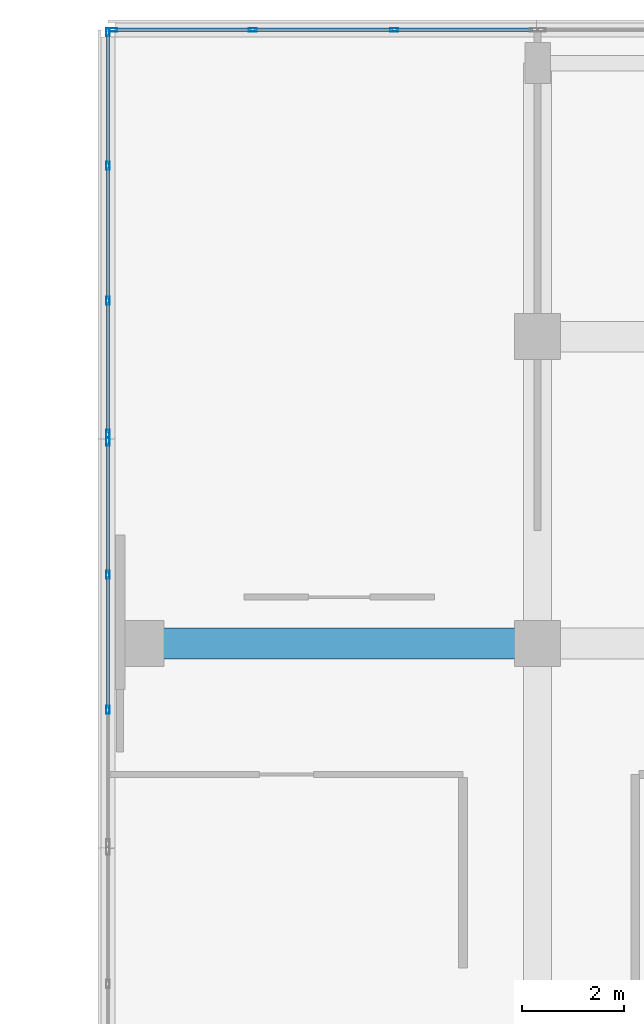
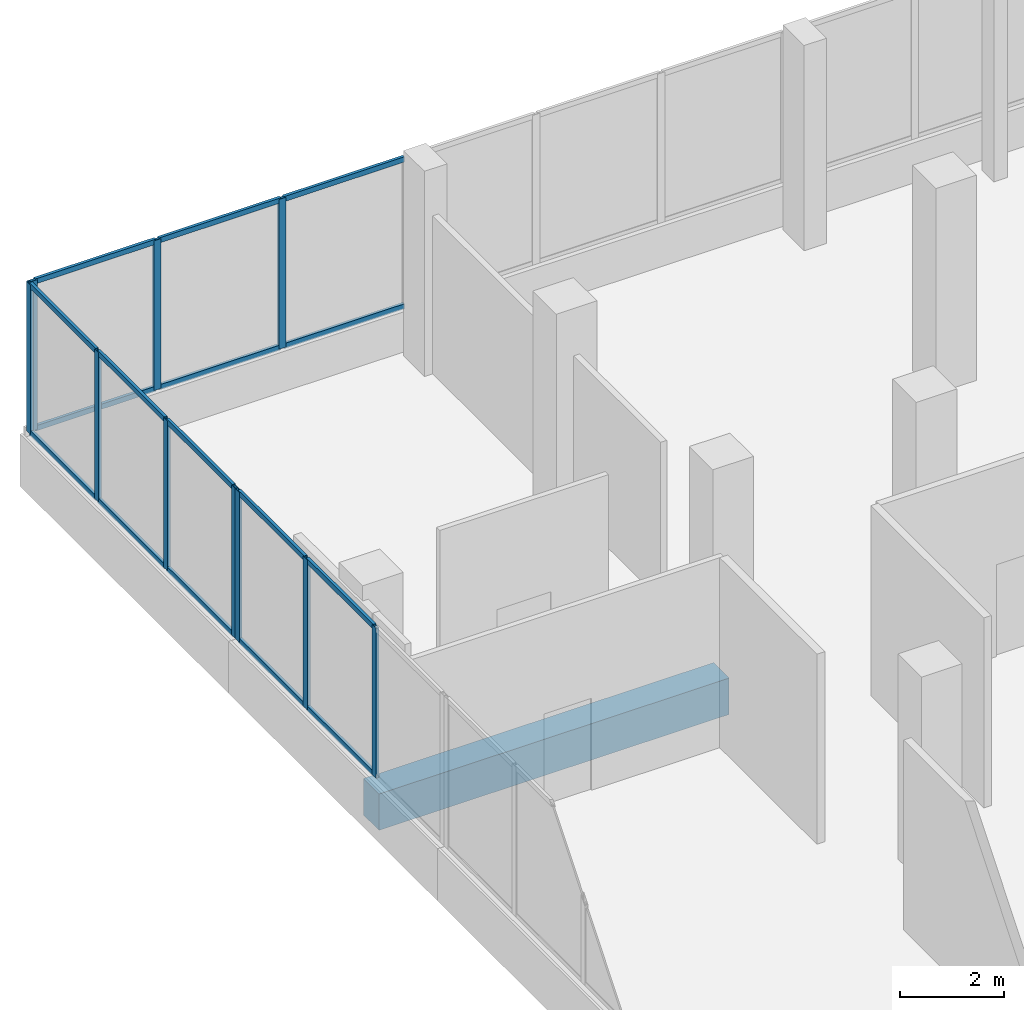
# One storey, part 76 of 168: 26 members, 1 beam, 3 elements without a shape of their own.
"""IFC4 building model written with IfcOpenShell, lengths in metres."""

from ifc_helpers import new_model, si_unit, direction, frame, origin, origin_2d, place, context, subcontext, project, spatial, rectangle, hollow_rectangle, extrude, material, material_profile, profile_set, type_object, element, aggregate, save


model = new_model("IFC4")

# Units and contexts
model_context = context("Model", 3, precision=1e-05, world=origin(), true_north=direction((0.0, 1.0)))
body_context = subcontext(model_context, "Body", "Model", "MODEL_VIEW")
ifc_project = project(units=[si_unit("LENGTHUNIT", "METRE"), si_unit("AREAUNIT", "SQUARE_METRE"), si_unit("VOLUMEUNIT", "CUBIC_METRE"), si_unit("PLANEANGLEUNIT", "RADIAN"), si_unit("MASSUNIT", "GRAM", prefix="KILO")], contexts=[model_context])

# Site, building, storey
site_placement = place(None, origin())
site = spatial("IfcSite", under=ifc_project, at=site_placement, CompositionType="ELEMENT")
building_placement = place(site_placement, origin())
building = spatial("IfcBuilding", under=site, at=building_placement, Name="Selatvlak General Hospital", CompositionType="ELEMENT")
storey_placement = place(building_placement, frame((0.0, 0.0, 5.39990234375)))
storey = spatial("IfcBuildingStorey", under=building, at=storey_placement, Name="L01", CompositionType="ELEMENT", Elevation=5.39990234375)

# Beam
ifc_material_1 = material(Name="Concrete C40/50", Category="concrete")
ifc_material_profile_1 = material_profile(ifc_material_1, rectangle(XDim=0.60009765625, YDim=0.85009765625, at=origin_2d()), Name="RC-BM 600x850")
ifc_profile_set_1 = profile_set([ifc_material_profile_1], Name="Concrete C40/50")
beam_type = type_object("IfcBeamType", Name="BM-G01", PredefinedType="BEAM", material=ifc_profile_set_1)
beam_placement = place(storey_placement, frame((15.050048828125, 108.0, -0.744873046875), z_axis=(1.0, 0.0, 0.0), x_axis=(0.0, 1.0, 0.0)))
element("IfcBeam", 1, at=beam_placement, inside=storey, type_object=beam_type, Name="Beam BMR-L01-0497", PredefinedType="BEAM", context=body_context, shape_type="SweptSolid", body=[
    extrude(rectangle(XDim=0.60009765625, YDim=0.85009765625, at=origin_2d()), origin(), (0.0, 0.0, 1.0), 7.75),
])

# Curtain wall, members
ifc_material_2 = material(Name="Solar-control Low-E double glazing", Category="glass")
curtain_wall_type_1 = type_object("IfcCurtainWallType", Name="CW-CW-01", PredefinedType="USERDEFINED", material=ifc_material_2)
curtain_wall_1_placement = place(storey_placement, origin())
curtain_wall_1 = element("IfcCurtainWall", 2, at=curtain_wall_1_placement, inside=storey, type_object=curtain_wall_type_1, Name="Glazed facade curtain wall CW-L01-0110", ObjectType="UNITISED CURTAIN WALL", PredefinedType="USERDEFINED")
ifc_material_3 = material(Name="Dark anodised aluminium mullion", Category="aluminium")
ifc_material_profile_2 = material_profile(ifc_material_3, hollow_rectangle(XDim=0.06494140625, YDim=0.159912109375, WallThickness=0.00390625, at=origin_2d()), Name="AL-MUL 65x160x4")
ifc_profile_set_2 = profile_set([ifc_material_profile_2], Name="Dark anodised aluminium mullion")
member_type_1 = type_object("IfcMemberType", Name="CWM-01", PredefinedType="MULLION", material=ifc_profile_set_2)
member_1_placement = place(storey_placement, frame((14.39990234375, 106.7041015625, 0.940185546875), z_axis=(0.0, 0.0, 1.0), x_axis=(-1.0, 0.0, 0.0)))
member_1 = element("IfcMember", 3, at=member_1_placement, type_object=member_type_1, Name="CW-01 mullion 2", PredefinedType="MULLION", context=body_context, shape_type="SweptSolid", body=[
    extrude(hollow_rectangle(XDim=0.06494140625, YDim=0.159912109375, WallThickness=0.00390625, at=origin_2d()), origin(), (0.0, 0.0, 1.0), 3.5048828125),
])
member_2_placement = place(storey_placement, frame((14.39990234375, 109.343994140625, 0.940185546875), z_axis=(0.0, 0.0, 1.0), x_axis=(-1.0, 0.0, 0.0)))
member_2 = element("IfcMember", 4, at=member_2_placement, type_object=member_type_1, Name="CW-01 mullion 3", PredefinedType="MULLION", context=body_context, shape_type="SweptSolid", body=[
    extrude(hollow_rectangle(XDim=0.06494140625, YDim=0.159912109375, WallThickness=0.00390625, at=origin_2d()), origin(), (0.0, 0.0, 1.0), 3.5048828125),
])
member_3_placement = place(storey_placement, frame((14.39990234375, 111.951416015625, 0.940185546875), z_axis=(0.0, 0.0, 1.0), x_axis=(-1.0, 0.0, 0.0)))
member_3 = element("IfcMember", 5, at=member_3_placement, type_object=member_type_1, Name="CW-01 mullion 4", PredefinedType="MULLION", context=body_context, shape_type="SweptSolid", body=[
    extrude(hollow_rectangle(XDim=0.06494140625, YDim=0.159912109375, WallThickness=0.00390625, at=origin_2d()), origin(), (0.0, 0.0, 1.0), 3.5048828125),
])

curtain_wall_type_2 = type_object("IfcCurtainWallType", Name="CW-CW-02", PredefinedType="USERDEFINED", material=ifc_material_2)
curtain_wall_2_placement = place(storey_placement, origin())
curtain_wall_2 = element("IfcCurtainWall", 6, at=curtain_wall_2_placement, inside=storey, type_object=curtain_wall_type_2, Name="Glazed facade curtain wall CW-L01-0111", ObjectType="UNITISED CURTAIN WALL", PredefinedType="USERDEFINED")
member_4_placement = place(storey_placement, frame((14.39990234375, 112.096435546875, 0.940185546875), z_axis=(0.0, 0.0, 1.0), x_axis=(-1.0, 0.0, 0.0)))
member_4 = element("IfcMember", 7, at=member_4_placement, type_object=member_type_1, Name="CW-02 mullion 1", PredefinedType="MULLION", context=body_context, shape_type="SweptSolid", body=[
    extrude(hollow_rectangle(XDim=0.06494140625, YDim=0.159912109375, WallThickness=0.00390625, at=origin_2d()), origin(), (0.0, 0.0, 1.0), 3.5048828125),
])
member_5_placement = place(storey_placement, frame((14.39990234375, 114.7041015625, 0.940185546875), z_axis=(0.0, 0.0, 1.0), x_axis=(-1.0, 0.0, 0.0)))
member_5 = element("IfcMember", 8, at=member_5_placement, type_object=member_type_1, Name="CW-02 mullion 2", PredefinedType="MULLION", context=body_context, shape_type="SweptSolid", body=[
    extrude(hollow_rectangle(XDim=0.06494140625, YDim=0.159912109375, WallThickness=0.00390625, at=origin_2d()), origin(), (0.0, 0.0, 1.0), 3.5048828125),
])
member_6_placement = place(storey_placement, frame((14.39990234375, 117.343994140625, 0.940185546875), z_axis=(0.0, 0.0, 1.0), x_axis=(-1.0, 0.0, 0.0)))
member_6 = element("IfcMember", 9, at=member_6_placement, type_object=member_type_1, Name="CW-02 mullion 3", PredefinedType="MULLION", context=body_context, shape_type="SweptSolid", body=[
    extrude(hollow_rectangle(XDim=0.06494140625, YDim=0.159912109375, WallThickness=0.00390625, at=origin_2d()), origin(), (0.0, 0.0, 1.0), 3.5048828125),
])
member_7_placement = place(storey_placement, frame((14.39990234375, 119.951416015625, 0.940185546875), z_axis=(0.0, 0.0, 1.0), x_axis=(-1.0, 0.0, 0.0)))
member_7 = element("IfcMember", 10, at=member_7_placement, type_object=member_type_1, Name="CW-02 mullion 4", PredefinedType="MULLION", context=body_context, shape_type="SweptSolid", body=[
    extrude(hollow_rectangle(XDim=0.06494140625, YDim=0.159912109375, WallThickness=0.00390625, at=origin_2d()), origin(), (0.0, 0.0, 1.0), 3.5048828125),
])

curtain_wall_3_placement = place(storey_placement, origin())
curtain_wall_3 = element("IfcCurtainWall", 11, at=curtain_wall_3_placement, inside=storey, type_object=curtain_wall_type_1, Name="Glazed facade curtain wall CW-L01-0112", ObjectType="UNITISED CURTAIN WALL", PredefinedType="USERDEFINED")
member_8_placement = place(storey_placement, frame((14.49755859375, 119.9990234375, 0.940185546875), z_axis=(0.0, 0.0, 1.0), x_axis=(0.0, 1.0, 0.0)))
member_8 = element("IfcMember", 12, at=member_8_placement, type_object=member_type_1, Name="CW-01 mullion 1", PredefinedType="MULLION", context=body_context, shape_type="SweptSolid", body=[
    extrude(hollow_rectangle(XDim=0.06494140625, YDim=0.159912109375, WallThickness=0.00390625, at=origin_2d()), origin(), (0.0, 0.0, 1.0), 3.5048828125),
])
member_9_placement = place(storey_placement, frame((17.231689453125, 119.9990234375, 0.940185546875), z_axis=(0.0, 0.0, 1.0), x_axis=(0.0, 1.0, 0.0)))
member_9 = element("IfcMember", 13, at=member_9_placement, type_object=member_type_1, Name="CW-01 mullion 2", PredefinedType="MULLION", context=body_context, shape_type="SweptSolid", body=[
    extrude(hollow_rectangle(XDim=0.06494140625, YDim=0.159912109375, WallThickness=0.00390625, at=origin_2d()), origin(), (0.0, 0.0, 1.0), 3.5048828125),
])
member_10_placement = place(storey_placement, frame((19.998291015625, 119.9990234375, 0.940185546875), z_axis=(0.0, 0.0, 1.0), x_axis=(0.0, 1.0, 0.0)))
member_10 = element("IfcMember", 14, at=member_10_placement, type_object=member_type_1, Name="CW-01 mullion 3", PredefinedType="MULLION", context=body_context, shape_type="SweptSolid", body=[
    extrude(hollow_rectangle(XDim=0.06494140625, YDim=0.159912109375, WallThickness=0.00390625, at=origin_2d()), origin(), (0.0, 0.0, 1.0), 3.5048828125),
])

# Member
ifc_material_profile_3 = material_profile(ifc_material_3, hollow_rectangle(XDim=0.06494140625, YDim=0.1201171875, WallThickness=0.00390625, at=origin_2d()), Name="AL-TRN 65x120x4")
ifc_profile_set_3 = profile_set([ifc_material_profile_3], Name="Dark anodised aluminium mullion")
member_type_2 = type_object("IfcMemberType", Name="CWT-01", PredefinedType="USERDEFINED", material=ifc_profile_set_3)
member_11_placement = place(storey_placement, frame((14.39990234375, 106.736572265625, 0.97265625), z_axis=(0.0, 1.0, 0.0), x_axis=(-1.0, 0.0, 0.0)))
member_11 = element("IfcMember", 15, at=member_11_placement, type_object=member_type_2, Name="CW-01 transom 2.1", ObjectType="TRANSOM", PredefinedType="USERDEFINED", context=body_context, shape_type="SweptSolid", body=[
    extrude(hollow_rectangle(XDim=0.06494140625, YDim=0.1201171875, WallThickness=0.00390625, at=origin_2d()), origin(), (0.0, 0.0, 1.0), 2.574951171875),
])

member_12_placement = place(storey_placement, frame((14.39990234375, 106.736572265625, 4.41259765625), z_axis=(0.0, 1.0, 0.0), x_axis=(-1.0, 0.0, 0.0)))
member_12 = element("IfcMember", 16, at=member_12_placement, type_object=member_type_2, Name="CW-01 transom 2.2", ObjectType="TRANSOM", PredefinedType="USERDEFINED", context=body_context, shape_type="SweptSolid", body=[
    extrude(hollow_rectangle(XDim=0.06494140625, YDim=0.1201171875, WallThickness=0.00390625, at=origin_2d()), origin(), (0.0, 0.0, 1.0), 2.574951171875),
])

member_13_placement = place(storey_placement, frame((14.39990234375, 109.37646484375, 0.97265625), z_axis=(0.0, 1.0, 0.0), x_axis=(-1.0, 0.0, 0.0)))
member_13 = element("IfcMember", 17, at=member_13_placement, type_object=member_type_2, Name="CW-01 transom 3.1", ObjectType="TRANSOM", PredefinedType="USERDEFINED", context=body_context, shape_type="SweptSolid", body=[
    extrude(hollow_rectangle(XDim=0.06494140625, YDim=0.1201171875, WallThickness=0.00390625, at=origin_2d()), origin(), (0.0, 0.0, 1.0), 2.54248046875),
])

member_14_placement = place(storey_placement, frame((14.39990234375, 109.37646484375, 4.41259765625), z_axis=(0.0, 1.0, 0.0), x_axis=(-1.0, 0.0, 0.0)))
member_14 = element("IfcMember", 18, at=member_14_placement, type_object=member_type_2, Name="CW-01 transom 3.2", ObjectType="TRANSOM", PredefinedType="USERDEFINED", context=body_context, shape_type="SweptSolid", body=[
    extrude(hollow_rectangle(XDim=0.06494140625, YDim=0.1201171875, WallThickness=0.00390625, at=origin_2d()), origin(), (0.0, 0.0, 1.0), 2.54248046875),
])

aggregate(curtain_wall_1, [member_1, member_2, member_3, member_11, member_12, member_13, member_14])

member_15_placement = place(storey_placement, frame((14.39990234375, 112.12890625, 0.97265625), z_axis=(0.0, 1.0, 0.0), x_axis=(-1.0, 0.0, 0.0)))
member_15 = element("IfcMember", 19, at=member_15_placement, type_object=member_type_2, Name="CW-02 transom 1.1", ObjectType="TRANSOM", PredefinedType="USERDEFINED", context=body_context, shape_type="SweptSolid", body=[
    extrude(hollow_rectangle(XDim=0.06494140625, YDim=0.1201171875, WallThickness=0.00390625, at=origin_2d()), origin(), (0.0, 0.0, 1.0), 2.54248046875),
])

member_16_placement = place(storey_placement, frame((14.39990234375, 112.12890625, 4.41259765625), z_axis=(0.0, 1.0, 0.0), x_axis=(-1.0, 0.0, 0.0)))
member_16 = element("IfcMember", 20, at=member_16_placement, type_object=member_type_2, Name="CW-02 transom 1.2", ObjectType="TRANSOM", PredefinedType="USERDEFINED", context=body_context, shape_type="SweptSolid", body=[
    extrude(hollow_rectangle(XDim=0.06494140625, YDim=0.1201171875, WallThickness=0.00390625, at=origin_2d()), origin(), (0.0, 0.0, 1.0), 2.54248046875),
])

member_17_placement = place(storey_placement, frame((14.39990234375, 114.736572265625, 0.97265625), z_axis=(0.0, 1.0, 0.0), x_axis=(-1.0, 0.0, 0.0)))
member_17 = element("IfcMember", 21, at=member_17_placement, type_object=member_type_2, Name="CW-02 transom 2.1", ObjectType="TRANSOM", PredefinedType="USERDEFINED", context=body_context, shape_type="SweptSolid", body=[
    extrude(hollow_rectangle(XDim=0.06494140625, YDim=0.1201171875, WallThickness=0.00390625, at=origin_2d()), origin(), (0.0, 0.0, 1.0), 2.574951171875),
])

member_18_placement = place(storey_placement, frame((14.39990234375, 114.736572265625, 4.41259765625), z_axis=(0.0, 1.0, 0.0), x_axis=(-1.0, 0.0, 0.0)))
member_18 = element("IfcMember", 22, at=member_18_placement, type_object=member_type_2, Name="CW-02 transom 2.2", ObjectType="TRANSOM", PredefinedType="USERDEFINED", context=body_context, shape_type="SweptSolid", body=[
    extrude(hollow_rectangle(XDim=0.06494140625, YDim=0.1201171875, WallThickness=0.00390625, at=origin_2d()), origin(), (0.0, 0.0, 1.0), 2.574951171875),
])

member_19_placement = place(storey_placement, frame((14.39990234375, 117.37646484375, 0.97265625), z_axis=(0.0, 1.0, 0.0), x_axis=(-1.0, 0.0, 0.0)))
member_19 = element("IfcMember", 23, at=member_19_placement, type_object=member_type_2, Name="CW-02 transom 3.1", ObjectType="TRANSOM", PredefinedType="USERDEFINED", context=body_context, shape_type="SweptSolid", body=[
    extrude(hollow_rectangle(XDim=0.06494140625, YDim=0.1201171875, WallThickness=0.00390625, at=origin_2d()), origin(), (0.0, 0.0, 1.0), 2.54248046875),
])

member_20_placement = place(storey_placement, frame((14.39990234375, 117.37646484375, 4.41259765625), z_axis=(0.0, 1.0, 0.0), x_axis=(-1.0, 0.0, 0.0)))
member_20 = element("IfcMember", 24, at=member_20_placement, type_object=member_type_2, Name="CW-02 transom 3.2", ObjectType="TRANSOM", PredefinedType="USERDEFINED", context=body_context, shape_type="SweptSolid", body=[
    extrude(hollow_rectangle(XDim=0.06494140625, YDim=0.1201171875, WallThickness=0.00390625, at=origin_2d()), origin(), (0.0, 0.0, 1.0), 2.54248046875),
])

aggregate(curtain_wall_2, [member_4, member_5, member_6, member_7, member_15, member_16, member_17, member_18, member_19, member_20])

member_21_placement = place(storey_placement, frame((14.530029296875, 119.9990234375, 0.97265625), z_axis=(1.0, 0.0, 0.0), x_axis=(0.0, 1.0, 0.0)))
member_21 = element("IfcMember", 25, at=member_21_placement, type_object=member_type_2, Name="CW-01 transom 1.1", ObjectType="TRANSOM", PredefinedType="USERDEFINED", context=body_context, shape_type="SweptSolid", body=[
    extrude(hollow_rectangle(XDim=0.06494140625, YDim=0.1201171875, WallThickness=0.00390625, at=origin_2d()), origin(), (0.0, 0.0, 1.0), 2.669189453125),
])

member_22_placement = place(storey_placement, frame((14.530029296875, 119.9990234375, 4.41259765625), z_axis=(1.0, 0.0, 0.0), x_axis=(0.0, 1.0, 0.0)))
member_22 = element("IfcMember", 26, at=member_22_placement, type_object=member_type_2, Name="CW-01 transom 1.2", ObjectType="TRANSOM", PredefinedType="USERDEFINED", context=body_context, shape_type="SweptSolid", body=[
    extrude(hollow_rectangle(XDim=0.06494140625, YDim=0.1201171875, WallThickness=0.00390625, at=origin_2d()), origin(), (0.0, 0.0, 1.0), 2.669189453125),
])

member_23_placement = place(storey_placement, frame((17.26416015625, 119.9990234375, 0.97265625), z_axis=(1.0, 0.0, 0.0), x_axis=(0.0, 1.0, 0.0)))
member_23 = element("IfcMember", 27, at=member_23_placement, type_object=member_type_2, Name="CW-01 transom 2.1", ObjectType="TRANSOM", PredefinedType="USERDEFINED", context=body_context, shape_type="SweptSolid", body=[
    extrude(hollow_rectangle(XDim=0.06494140625, YDim=0.1201171875, WallThickness=0.00390625, at=origin_2d()), origin(), (0.0, 0.0, 1.0), 2.70166015625),
])

member_24_placement = place(storey_placement, frame((17.26416015625, 119.9990234375, 4.41259765625), z_axis=(1.0, 0.0, 0.0), x_axis=(0.0, 1.0, 0.0)))
member_24 = element("IfcMember", 28, at=member_24_placement, type_object=member_type_2, Name="CW-01 transom 2.2", ObjectType="TRANSOM", PredefinedType="USERDEFINED", context=body_context, shape_type="SweptSolid", body=[
    extrude(hollow_rectangle(XDim=0.06494140625, YDim=0.1201171875, WallThickness=0.00390625, at=origin_2d()), origin(), (0.0, 0.0, 1.0), 2.70166015625),
])

member_25_placement = place(storey_placement, frame((20.03076171875, 119.9990234375, 0.97265625), z_axis=(1.0, 0.0, 0.0), x_axis=(0.0, 1.0, 0.0)))
member_25 = element("IfcMember", 29, at=member_25_placement, type_object=member_type_2, Name="CW-01 transom 3.1", ObjectType="TRANSOM", PredefinedType="USERDEFINED", context=body_context, shape_type="SweptSolid", body=[
    extrude(hollow_rectangle(XDim=0.06494140625, YDim=0.1201171875, WallThickness=0.00390625, at=origin_2d()), origin(), (0.0, 0.0, 1.0), 2.669189453125),
])

member_26_placement = place(storey_placement, frame((20.03076171875, 119.9990234375, 4.41259765625), z_axis=(1.0, 0.0, 0.0), x_axis=(0.0, 1.0, 0.0)))
member_26 = element("IfcMember", 30, at=member_26_placement, type_object=member_type_2, Name="CW-01 transom 3.2", ObjectType="TRANSOM", PredefinedType="USERDEFINED", context=body_context, shape_type="SweptSolid", body=[
    extrude(hollow_rectangle(XDim=0.06494140625, YDim=0.1201171875, WallThickness=0.00390625, at=origin_2d()), origin(), (0.0, 0.0, 1.0), 2.669189453125),
])

aggregate(curtain_wall_3, [member_8, member_9, member_10, member_21, member_22, member_23, member_24, member_25, member_26])

save(model, "model.ifc")
